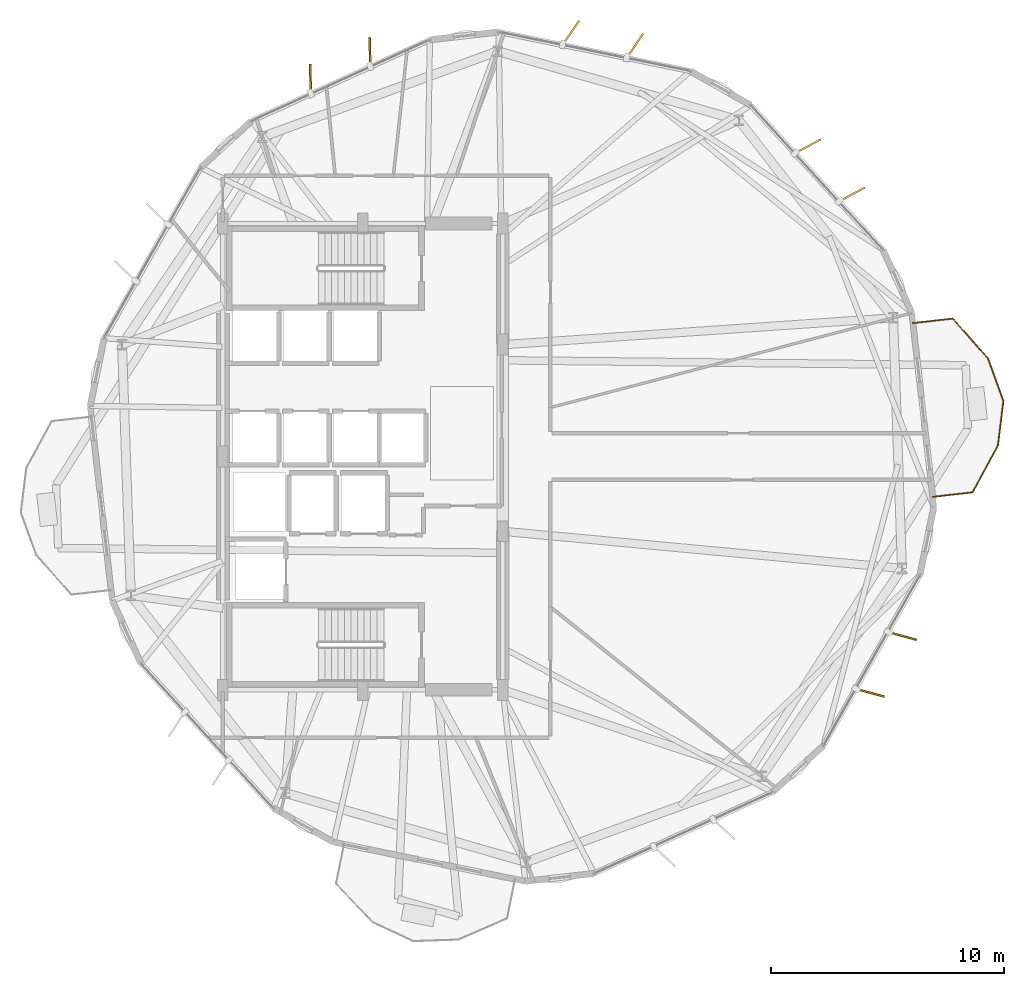
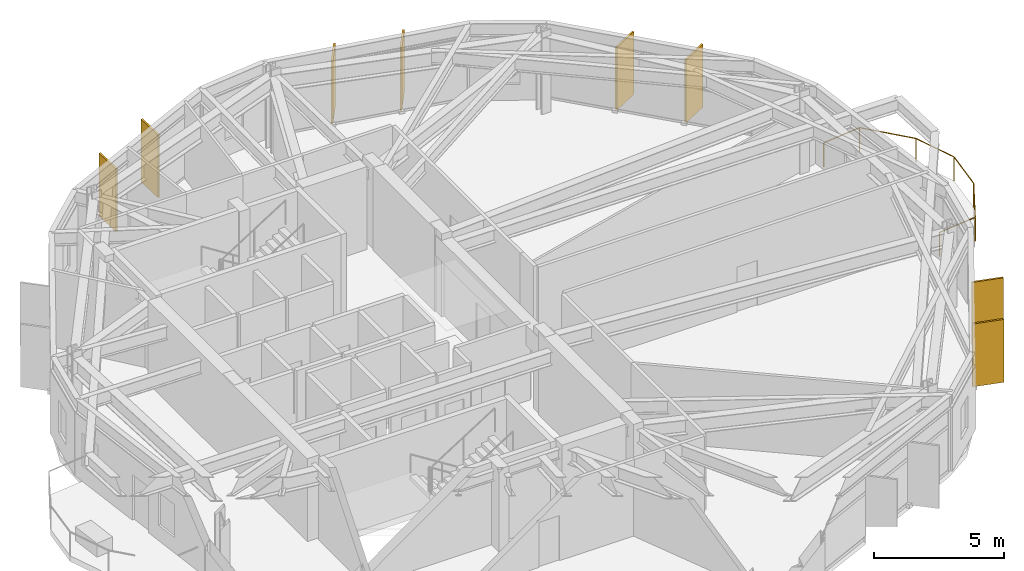
# One storey, part 23 of 23: 8 shading devices, 1 railing.
"""IFC4 building model written with IfcOpenShell, lengths in metres."""

from ifc_helpers import new_model, si_unit, direction, frame, origin, origin_2d, place, context, subcontext, project, spatial, rectangle, circle, extrude, material, layer, layer_set, type_object, element, save


model = new_model("IFC4")

# Units and contexts
model_context = context("Model", 3, precision=1e-05, world=origin(), true_north=direction((0.0, 1.0)))
body_context = subcontext(model_context, "Body", "Model", "MODEL_VIEW")
ifc_project = project(units=[si_unit("LENGTHUNIT", "METRE"), si_unit("AREAUNIT", "SQUARE_METRE"), si_unit("VOLUMEUNIT", "CUBIC_METRE"), si_unit("PLANEANGLEUNIT", "RADIAN"), si_unit("MASSUNIT", "GRAM", prefix="KILO")], contexts=[model_context])

# Site, building, storey
site_placement = place(None, origin())
site = spatial("IfcSite", under=ifc_project, at=site_placement, CompositionType="ELEMENT")
building_placement = place(site_placement, origin())
building = spatial("IfcBuilding", under=site, at=building_placement, Name="Soratama Intermodal Tower", CompositionType="ELEMENT")
storey_placement = place(building_placement, frame((0.0, 0.0, 122.5)))
storey = spatial("IfcBuildingStorey", under=building, at=storey_placement, Name="L29", CompositionType="ELEMENT", Elevation=122.5)

# Railing
ifc_material_1 = material(Name="Laminated glass and stainless steel balustrade", Category="steel")
railing_type = type_object("IfcRailingType", Name="RL-BAL-1150", PredefinedType="BALUSTRADE", material=ifc_material_1)
railing_placement = place(storey_placement, frame((62.197509765625, 30.730224609375, 0.0)))
element("IfcRailing", 1, at=railing_placement, inside=storey, type_object=railing_type, Name="L29 Balcony Balustrade 1", PredefinedType="BALUSTRADE", context=body_context, shape_type="SweptSolid", body=[
    extrude(circle(Radius=0.02392578125, at=origin_2d()), frame((0.0, 0.0, 1.1259765625), z_axis=(0.993612491128, 0.112845990064, 0.0), x_axis=(-0.112845990064, 0.993612491128, 0.0)), (0.0, 0.0, 1.0), 1.719970703125),
    extrude(circle(Radius=0.02392578125, at=origin_2d()), frame((1.708984375, 0.194091796875, 1.1259765625), z_axis=(0.661625164815, -0.749834742649, 0.0), x_axis=(0.749834742649, 0.661625164815, 0.0)), (0.0, 0.0, 1.0), 2.288818359375),
    extrude(circle(Radius=0.02392578125, at=origin_2d()), frame((3.223388671875, -1.522216796875, 1.1259765625), z_axis=(0.341021599876, -0.940055460288, 0.0), x_axis=(0.940055460288, 0.341021599876, 0.0)), (0.0, 0.0, 1.0), 1.929443359375),
    extrude(circle(Radius=0.02392578125, at=origin_2d()), frame((3.88134765625, -3.3359375, 1.1259765625), z_axis=(-0.121464869584, -0.99259573113, 0.0), x_axis=(0.99259573113, -0.121464869584, 0.0)), (0.0, 0.0, 1.0), 1.9296875),
    extrude(circle(Radius=0.02392578125, at=origin_2d()), frame((3.64697265625, -5.251220703125, 1.1259765625), z_axis=(-0.47657863344, -0.879131847989, 0.0), x_axis=(0.879131847989, -0.47657863344, 0.0)), (0.0, 0.0, 1.0), 2.288818359375),
    extrude(circle(Radius=0.02392578125, at=origin_2d()), frame((2.55615234375, -7.263427734375, 1.1259765625), z_axis=(-0.993612491128, -0.112845990064, 0.0), x_axis=(0.112845990064, -0.993612491128, 0.0)), (0.0, 0.0, 1.0), 1.719970703125),
    extrude(circle(Radius=0.02099609375, at=origin_2d()), origin(), (0.0, 0.0, 1.0), 1.101806640625),
    extrude(circle(Radius=0.02099609375, at=origin_2d()), frame((1.708984375, 0.194091796875, 0.0)), (0.0, 0.0, 1.0), 1.101806640625),
    extrude(circle(Radius=0.02099609375, at=origin_2d()), frame((3.223388671875, -1.522216796875, 0.0)), (0.0, 0.0, 1.0), 1.101806640625),
    extrude(circle(Radius=0.02099609375, at=origin_2d()), frame((3.88134765625, -3.3359375, 0.0)), (0.0, 0.0, 1.0), 1.101806640625),
    extrude(circle(Radius=0.02099609375, at=origin_2d()), frame((3.64697265625, -5.251220703125, 0.0)), (0.0, 0.0, 1.0), 1.101806640625),
    extrude(circle(Radius=0.02099609375, at=origin_2d()), frame((2.55615234375, -7.263427734375, 0.0)), (0.0, 0.0, 1.0), 1.101806640625),
    extrude(circle(Radius=0.02099609375, at=origin_2d()), frame((0.84716796875, -7.45751953125, 0.0)), (0.0, 0.0, 1.0), 1.101806640625),
])

# Shading devices
ifc_material_2 = material(Name="Champagne anodised aluminium solar fin", Category="aluminium")
ifc_layer = layer(ifc_material_2, 0.080078125)
ifc_layer_set = layer_set([ifc_layer], Name="Champagne anodised aluminium solar fin")
shading_device_type = type_object("IfcShadingDeviceType", Name="SH-FIN-1250", PredefinedType="USERDEFINED", material=ifc_layer_set)
for number, where, z_axis, x_axis, name in (
    (2, (59.593017578125, 36.25, 0.02001953125), (0.0, 0.0, 1.0), (0.879897488528, 0.475163560978, 0.0), "L29 Solar Fin F01-1"),
    (3, (57.700927734375, 38.31640625, 0.02001953125), (0.0, 0.0, 1.0), (0.879897488528, 0.475163560978, 0.0), "L29 Solar Fin F01-2"),
    (4, (50.2783203125, 42.6298828125, 0.02001953125), (0.0, 0.0, 1.0), (0.56424674103, 0.825606210755, 0.0), "L29 Solar Fin F02-1"),
    (5, (47.532958984375, 43.189453125, 0.02001953125), (0.0, 0.0, 1.0), (0.56424674103, 0.825606210755, 0.0), "L29 Solar Fin F02-2"),
    (6, (38.90771484375, 42.365478515625, 0.02001953125), (0.0, 0.0, 1.0), (-0.028793952368, 0.999585368194, 0.0), "L29 Solar Fin F03-1"),
    (7, (36.357666015625, 41.204345703125, 0.02001953125), (0.0, 0.0, 1.0), (-0.028793952368, 0.999585368194, 0.0), "L29 Solar Fin F03-2"),
    (8, (60.36376953125, 14.871337890625, 0.02001953125), (0.0, 0.0, 1.0), (0.964049041264, -0.265724379832, 0.0), "L29 Solar Fin F09-1"),
    (9, (61.744384765625, 17.309326171875, 0.02001953125), (0.0, 0.0, 1.0), (0.964049041264, -0.265724379832, 0.0), "L29 Solar Fin F09-2"),
):
    element("IfcShadingDevice", number, at=place(storey_placement, frame(where, z_axis=z_axis, x_axis=x_axis)), inside=storey, type_object=shading_device_type, Name=name, ObjectType="FIN", PredefinedType="USERDEFINED", context=body_context, shape_type="SweptSolid", body=[
        extrude(rectangle(XDim=1.25, YDim=0.080078125, at=origin_2d()), origin(), (0.0, 0.0, 1.0), 2.958984375),
    ])

save(model, "model.ifc")
